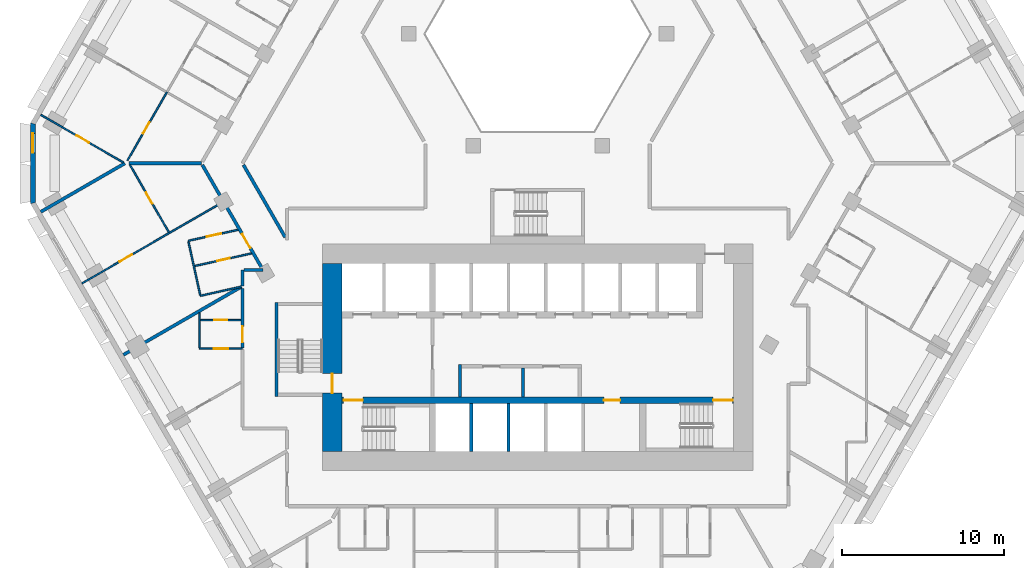
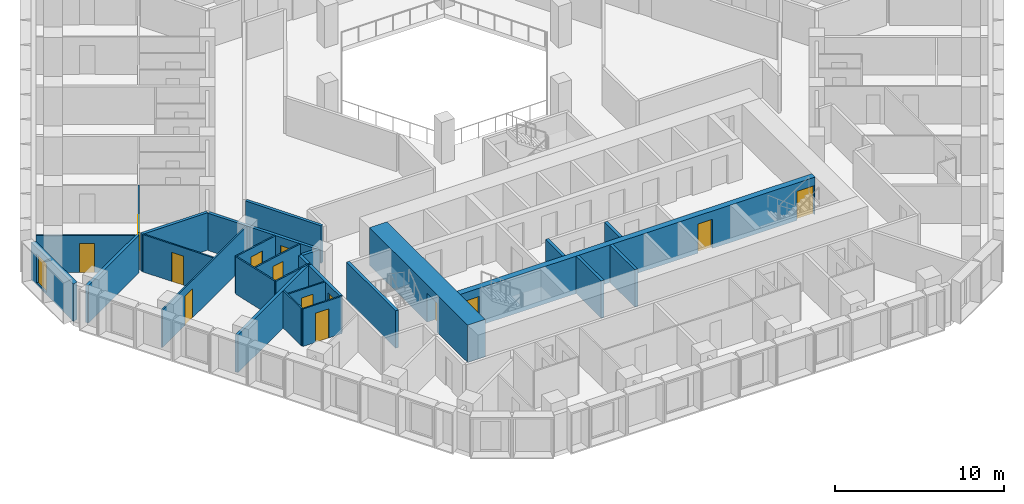
# One storey, part 4 of 16: 27 walls, 14 doors, 1 window, 15 openings.
"""IFC4 building model written with IfcOpenShell, lengths in metres."""

from ifc_helpers import new_model, si_unit, direction, frame, frame_2d, origin, place, context, subcontext, project, spatial, polyline, rectangle, outline, extrude, material, layer, layer_set, type_object, element, fill, save


model = new_model("IFC4")

# Units and contexts
model_context = context("Model", 3, precision=1e-05, world=origin(), true_north=direction((0.0, 1.0)))
body_context = subcontext(model_context, "Body", "Model", "MODEL_VIEW")
ifc_project = project(units=[si_unit("LENGTHUNIT", "METRE"), si_unit("AREAUNIT", "SQUARE_METRE"), si_unit("VOLUMEUNIT", "CUBIC_METRE"), si_unit("PLANEANGLEUNIT", "RADIAN"), si_unit("MASSUNIT", "GRAM", prefix="KILO")], contexts=[model_context])

# Site, building, storey
site_placement = place(None, origin())
site = spatial("IfcSite", under=ifc_project, at=site_placement, CompositionType="ELEMENT")
building_placement = place(site_placement, origin())
building = spatial("IfcBuilding", under=site, at=building_placement, Name="Beryl Residences", CompositionType="ELEMENT")
storey_placement = place(building_placement, frame((0.0, 0.0, 44.39990234375)))
storey = spatial("IfcBuildingStorey", under=building, at=storey_placement, Name="L13", CompositionType="ELEMENT", Elevation=44.39990234375)

# Wall, opening, window
ifc_material_1 = material(Name="Composite metal panel with mineral wool insulation")
ifc_layer_1 = layer(ifc_material_1, 0.300048828125)
ifc_layer_set_1 = layer_set([ifc_layer_1], Name="ES1 pale metal composite panel wall 300 mm")
wall_type_1 = type_object("IfcWallType", Name="ES1 pale metal composite panel wall 300 mm", PredefinedType="SOLIDWALL", material=ifc_layer_set_1)
wall_1_placement = place(storey_placement, frame((-31.199951171875, 2.5, 0.0), z_axis=(0.0, 0.0, 1.0), x_axis=(0.0, -1.0, 0.0)))
wall_1 = element("IfcWall", 1, at=wall_1_placement, inside=storey, type_object=wall_type_1, Name="ES1 external wall L13 NW-SW", PredefinedType="SOLIDWALL", context=body_context, shape_type="SweptSolid", body=[
    extrude(outline(polyline([(0.0, -0.14990234375), (5.0, -0.14990234375), (4.919677734375, 0.14990234375), (0.080322265625, 0.14990234375), (0.0, -0.14990234375)])), origin(), (0.0, 0.0, 1.0), 2.7001953125),
])
opening_1_placement = place(wall_1_placement, frame((0.64990234375, 0.0, 0.14990234375)))
opening_1 = element("IfcOpeningElement", 2, at=opening_1_placement, cuts=wall_1, Name="Opening W2", PredefinedType="OPENING", context=body_context, shape_type="SweptSolid", body=[
    extrude(rectangle(XDim=1.199951171875, YDim=2.10009765625, at=frame_2d((0.60009765625, 1.050048828125))), frame((0.0, 0.159912109375, 0.0), z_axis=(0.0, -1.0, 0.0), x_axis=(1.0, 0.0, 0.0)), (0.0, 0.0, 1.0), 0.320068359375),
])
ifc_material_2 = material(Name="Aluminium and clear glass", Category="aluminium")
window_type = type_object("IfcWindowType", Name="W2 chamfer window 1200 x 2100 mm", PartitioningType="SINGLE_PANEL", PredefinedType="WINDOW", material=ifc_material_2)
window_placement = place(opening_1_placement, origin())
window = element("IfcWindow", 3, at=window_placement, inside=storey, type_object=window_type, Name="W2 window L13 NW-SW 1", OverallHeight=2.10009765625, OverallWidth=1.199951171875, PartitioningType="SINGLE_PANEL", PredefinedType="WINDOW", context=body_context, shape_type="SweptSolid", body=[
    extrude(rectangle(XDim=1.199951171875, YDim=2.10009765625, at=frame_2d((0.60009765625, 1.050048828125))), frame((0.0, 0.030029296875, 0.0), z_axis=(0.0, -1.0, 0.0), x_axis=(1.0, 0.0, 0.0)), (0.0, 0.0, 1.0), 0.06005859375),
])
fill(opening_1, window)

# Wall, opening, door
ifc_material_3 = material(Name="Gypsum board partition on steel studs", Category="steel")
ifc_layer_2 = layer(ifc_material_3, 0.10009765625)
ifc_layer_set_2 = layer_set([ifc_layer_2], Name="PT1 partition 100 mm gypsum board on steel studs")
wall_type_2 = type_object("IfcWallType", Name="PT1 partition 100 mm gypsum board on steel studs", PredefinedType="PARTITIONING", material=ifc_layer_set_2)
wall_2_placement = place(storey_placement, frame((-25.199951171875, -0.10107421875, 0.0), z_axis=(0.0, 0.0, 1.0), x_axis=(0.500099052605, -0.865968208183, 0.0)))
wall_2 = element("IfcWall", 4, at=wall_2_placement, inside=storey, type_object=wall_type_2, Name="Wall PT1 L13 001", PredefinedType="PARTITIONING", context=body_context, shape_type="SweptSolid", body=[
    extrude(rectangle(XDim=4.80712890625, YDim=0.10009765625, at=frame_2d((2.403564453125, 0.0))), origin(), (0.0, 0.0, 1.0), 2.7001953125),
])
opening_2_placement = place(wall_2_placement, frame((1.970947265625, 0.0, 0.0)))
opening_2 = element("IfcOpeningElement", 5, at=opening_2_placement, cuts=wall_2, Name="Opening D0515", PredefinedType="OPENING", context=body_context, shape_type="SweptSolid", body=[
    extrude(rectangle(XDim=0.800048828125, YDim=2.10009765625, at=frame_2d((0.39990234375, 1.050048828125))), frame((0.0, 0.06005859375, 0.0), z_axis=(0.0, -1.0, 0.0), x_axis=(1.0, 0.0, 0.0)), (0.0, 0.0, 1.0), 0.1201171875),
])
ifc_material_4 = material(Name="Timber door leaf", Category="wood")
door_type_1 = type_object("IfcDoorType", Name="D3 bathroom door 800 x 2100 mm", OperationType="SINGLE_SWING_LEFT", PredefinedType="DOOR", material=ifc_material_4)
door_1_placement = place(opening_2_placement, origin())
door_1 = element("IfcDoor", 6, at=door_1_placement, inside=storey, type_object=door_type_1, Name="Door D0515 L13 001", OperationType="SINGLE_SWING_LEFT", OverallHeight=2.10009765625, OverallWidth=0.800048828125, PredefinedType="DOOR", context=body_context, shape_type="SweptSolid", body=[
    extrude(rectangle(XDim=0.800048828125, YDim=2.10009765625, at=frame_2d((0.39990234375, 1.050048828125))), frame((0.0, 0.02490234375, 0.0), z_axis=(0.0, -1.0, 0.0), x_axis=(1.0, 0.0, 0.0)), (0.0, 0.0, 1.0), 0.050048828125),
])
fill(opening_2, door_1)

# Walls
wall_3_placement = place(storey_placement, frame((-21.590087890625, -4.842041015625, 0.0), z_axis=(0.0, 0.0, 1.0), x_axis=(0.216524734289, -0.976277132499, 0.0)))
element("IfcWall", 7, at=wall_3_placement, inside=storey, type_object=wall_type_2, Name="Wall PT1 L13 004", PredefinedType="PARTITIONING", context=body_context, shape_type="SweptSolid", body=[
    extrude(rectangle(XDim=3.376953125, YDim=0.10009765625, at=frame_2d((1.6884765625, 0.0))), origin(), (0.0, 0.0, 1.0), 2.7001953125),
])
wall_4_placement = place(storey_placement, frame((-20.909912109375, -9.242919921875, 0.0), z_axis=(0.0, 0.0, 1.0), x_axis=(0.0, -1.0, 0.0)))
element("IfcWall", 8, at=wall_4_placement, inside=storey, type_object=wall_type_2, Name="Wall PT1 L13 009", PredefinedType="PARTITIONING", context=body_context, shape_type="SweptSolid", body=[
    extrude(rectangle(XDim=2.1630859375, YDim=0.10009765625, at=frame_2d((1.08154296875, 0.0))), origin(), (0.0, 0.0, 1.0), 2.7001953125),
])

# Wall, opening, door
wall_5_placement = place(storey_placement, frame((-30.716064453125, 2.9990234375, 0.0), z_axis=(0.0, 0.0, 1.0), x_axis=(0.866025981722, -0.499998998981, 0.0)))
wall_5 = element("IfcWall", 9, at=wall_5_placement, inside=storey, type_object=wall_type_2, Name="Wall PT1 L13 015", PredefinedType="PARTITIONING", context=body_context, shape_type="SweptSolid", body=[
    extrude(rectangle(XDim=5.88427734375, YDim=0.10009765625, at=frame_2d((2.942138671875, 0.0))), origin(), (0.0, 0.0, 1.0), 2.7001953125),
])
opening_3_placement = place(wall_5_placement, frame((2.550048828125, 0.0, 0.0)))
opening_3 = element("IfcOpeningElement", 10, at=opening_3_placement, cuts=wall_5, Name="Opening D0509", PredefinedType="OPENING", context=body_context, shape_type="SweptSolid", body=[
    extrude(rectangle(XDim=0.89990234375, YDim=2.10009765625, at=frame_2d((0.449951171875, 1.050048828125))), frame((0.0, 0.06005859375, 0.0), z_axis=(0.0, -1.0, 0.0), x_axis=(1.0, 0.0, 0.0)), (0.0, 0.0, 1.0), 0.1201171875),
])
ifc_material_5 = material(Name="Timber door leaf", Category="wood")
door_type_2 = type_object("IfcDoorType", Name="D2 room door 900 x 2100 mm", OperationType="SINGLE_SWING_LEFT", PredefinedType="DOOR", material=ifc_material_5)
door_2_placement = place(opening_3_placement, origin())
door_2 = element("IfcDoor", 11, at=door_2_placement, inside=storey, type_object=door_type_2, Name="Door D0509 L13 001", OperationType="SINGLE_SWING_LEFT", OverallHeight=2.10009765625, OverallWidth=0.89990234375, PredefinedType="DOOR", context=body_context, shape_type="SweptSolid", body=[
    extrude(rectangle(XDim=0.89990234375, YDim=2.10009765625, at=frame_2d((0.449951171875, 1.050048828125))), frame((0.0, 0.02490234375, 0.0), z_axis=(0.0, -1.0, 0.0), x_axis=(1.0, 0.0, 0.0)), (0.0, 0.0, 1.0), 0.050048828125),
])
fill(opening_3, door_2)

wall_6_placement = place(storey_placement, frame((-20.860107421875, -9.68896484375, 0.0), z_axis=(0.0, 0.0, 1.0), x_axis=(1.0, 0.0, 0.0)))
wall_6 = element("IfcWall", 12, at=wall_6_placement, inside=storey, type_object=wall_type_2, Name="Wall PT1 L13 025", PredefinedType="PARTITIONING", context=body_context, shape_type="SweptSolid", body=[
    extrude(rectangle(XDim=2.510009765625, YDim=0.10009765625, at=frame_2d((1.2548828125, 0.0))), origin(), (0.0, 0.0, 1.0), 2.7001953125),
])
opening_4_placement = place(wall_6_placement, frame((0.8798828125, 0.0, 0.0)))
opening_4 = element("IfcOpeningElement", 13, at=opening_4_placement, cuts=wall_6, Name="Opening D0518", PredefinedType="OPENING", context=body_context, shape_type="SweptSolid", body=[
    extrude(rectangle(XDim=0.800048828125, YDim=2.10009765625, at=frame_2d((0.39990234375, 1.050048828125))), frame((0.0, 0.06005859375, 0.0), z_axis=(0.0, -1.0, 0.0), x_axis=(1.0, 0.0, 0.0)), (0.0, 0.0, 1.0), 0.1201171875),
])
door_3_placement = place(opening_4_placement, origin())
door_3 = element("IfcDoor", 14, at=door_3_placement, inside=storey, type_object=door_type_1, Name="Door D0518 L13 001", OperationType="SINGLE_SWING_RIGHT", OverallHeight=2.10009765625, OverallWidth=0.800048828125, PredefinedType="DOOR", context=body_context, shape_type="SweptSolid", body=[
    extrude(rectangle(XDim=0.800048828125, YDim=2.10009765625, at=frame_2d((0.39990234375, 1.050048828125))), frame((0.0, 0.02490234375, 0.0), z_axis=(0.0, -1.0, 0.0), x_axis=(1.0, 0.0, 0.0)), (0.0, 0.0, 1.0), 0.050048828125),
])
fill(opening_4, door_3)

wall_7_placement = place(storey_placement, frame((-20.908935546875, -11.45703125, 0.0), z_axis=(0.0, 0.0, 1.0), x_axis=(1.0, 0.0, 0.0)))
wall_7 = element("IfcWall", 15, at=wall_7_placement, inside=storey, type_object=wall_type_2, Name="Wall PT1 L13 026", PredefinedType="PARTITIONING", context=body_context, shape_type="SweptSolid", body=[
    extrude(rectangle(XDim=2.658935546875, YDim=0.10009765625, at=frame_2d((1.32958984375, 0.0))), origin(), (0.0, 0.0, 1.0), 2.7001953125),
])
opening_5_placement = place(wall_7_placement, frame((0.87890625, 0.0, 0.0)))
opening_5 = element("IfcOpeningElement", 16, at=opening_5_placement, cuts=wall_7, Name="Opening D0517", PredefinedType="OPENING", context=body_context, shape_type="SweptSolid", body=[
    extrude(rectangle(XDim=0.89990234375, YDim=2.10009765625, at=frame_2d((0.449951171875, 1.050048828125))), frame((0.0, 0.06005859375, 0.0), z_axis=(0.0, -1.0, 0.0), x_axis=(1.0, 0.0, 0.0)), (0.0, 0.0, 1.0), 0.1201171875),
])
door_4_placement = place(opening_5_placement, origin())
door_4 = element("IfcDoor", 17, at=door_4_placement, inside=storey, type_object=door_type_2, Name="Door D0517 L13 001", OperationType="SINGLE_SWING_LEFT", OverallHeight=2.10009765625, OverallWidth=0.89990234375, PredefinedType="DOOR", context=body_context, shape_type="SweptSolid", body=[
    extrude(rectangle(XDim=0.89990234375, YDim=2.10009765625, at=frame_2d((0.449951171875, 1.050048828125))), frame((0.0, 0.02490234375, 0.0), z_axis=(0.0, -1.0, 0.0), x_axis=(1.0, 0.0, 0.0)), (0.0, 0.0, 1.0), 0.050048828125),
])
fill(opening_5, door_4)

wall_8_placement = place(storey_placement, frame((-25.35791015625, 0.173095703125, 0.0), z_axis=(0.0, 0.0, 1.0), x_axis=(0.500180754623, 0.8659210199, 0.0)))
wall_8 = element("IfcWall", 18, at=wall_8_placement, inside=storey, type_object=wall_type_2, Name="Wall PT1 L13 039", PredefinedType="PARTITIONING", context=body_context, shape_type="SweptSolid", body=[
    extrude(rectangle(XDim=4.872314453125, YDim=0.10009765625, at=frame_2d((2.43603515625, 0.0))), origin(), (0.0, 0.0, 1.0), 2.7001953125),
])
opening_6_placement = place(wall_8_placement, frame((1.93603515625, 0.0, 0.0)))
opening_6 = element("IfcOpeningElement", 19, at=opening_6_placement, cuts=wall_8, Name="Opening D0510", PredefinedType="OPENING", context=body_context, shape_type="SweptSolid", body=[
    extrude(rectangle(XDim=0.800048828125, YDim=2.10009765625, at=frame_2d((0.39990234375, 1.050048828125))), frame((0.0, 0.06005859375, 0.0), z_axis=(0.0, -1.0, 0.0), x_axis=(1.0, 0.0, 0.0)), (0.0, 0.0, 1.0), 0.1201171875),
])
door_5_placement = place(opening_6_placement, origin())
door_5 = element("IfcDoor", 20, at=door_5_placement, inside=storey, type_object=door_type_1, Name="Door D0510 L13 001", OperationType="SINGLE_SWING_RIGHT", OverallHeight=2.10009765625, OverallWidth=0.800048828125, PredefinedType="DOOR", context=body_context, shape_type="SweptSolid", body=[
    extrude(rectangle(XDim=0.800048828125, YDim=2.10009765625, at=frame_2d((0.39990234375, 1.050048828125))), frame((0.0, 0.02490234375, 0.0), z_axis=(0.0, -1.0, 0.0), x_axis=(1.0, 0.0, 0.0)), (0.0, 0.0, 1.0), 0.050048828125),
])
fill(opening_6, door_5)

# Wall
wall_9_placement = place(storey_placement, frame((-20.847900390625, -8.18896484375, 0.0), z_axis=(0.0, 0.0, 1.0), x_axis=(0.976266547712, 0.216572453971, 0.0)))
element("IfcWall", 21, at=wall_9_placement, inside=storey, type_object=wall_type_2, Name="Wall PT1 L13 057", PredefinedType="PARTITIONING", context=body_context, shape_type="SweptSolid", body=[
    extrude(rectangle(XDim=2.599609375, YDim=0.10009765625, at=frame_2d((1.2998046875, 0.0))), origin(), (0.0, 0.0, 1.0), 2.7001953125),
])

# Wall, opening, door
wall_10_placement = place(storey_placement, frame((-21.205078125, -6.34912109375, 0.0), z_axis=(0.0, 0.0, 1.0), x_axis=(0.976315944397, 0.216349663084, 0.0)))
wall_10 = element("IfcWall", 22, at=wall_10_placement, inside=storey, type_object=wall_type_2, Name="Wall PT1 L13 058", PredefinedType="PARTITIONING", context=body_context, shape_type="SweptSolid", body=[
    extrude(rectangle(XDim=3.60546875, YDim=0.10009765625, at=frame_2d((1.802734375, 0.0))), origin(), (0.0, 0.0, 1.0), 2.7001953125),
])
opening_7_placement = place(wall_10_placement, frame((1.429931640625, 0.0, 0.0)))
opening_7 = element("IfcOpeningElement", 23, at=opening_7_placement, cuts=wall_10, Name="Opening D0512", PredefinedType="OPENING", context=body_context, shape_type="SweptSolid", body=[
    extrude(rectangle(XDim=0.800048828125, YDim=2.10009765625, at=frame_2d((0.39990234375, 1.050048828125))), frame((0.0, 0.06005859375, 0.0), z_axis=(0.0, -1.0, 0.0), x_axis=(1.0, 0.0, 0.0)), (0.0, 0.0, 1.0), 0.1201171875),
])
door_6_placement = place(opening_7_placement, origin())
door_6 = element("IfcDoor", 24, at=door_6_placement, inside=storey, type_object=door_type_1, Name="Door D0512 L13 001", OperationType="SINGLE_SWING_RIGHT", OverallHeight=2.10009765625, OverallWidth=0.800048828125, PredefinedType="DOOR", context=body_context, shape_type="SweptSolid", body=[
    extrude(rectangle(XDim=0.800048828125, YDim=2.10009765625, at=frame_2d((0.39990234375, 1.050048828125))), frame((0.0, 0.02490234375, 0.0), z_axis=(0.0, -1.0, 0.0), x_axis=(1.0, 0.0, 0.0)), (0.0, 0.0, 1.0), 0.050048828125),
])
fill(opening_7, door_6)

wall_11_placement = place(storey_placement, frame((-21.60009765625, -4.7919921875, 0.0), z_axis=(0.0, 0.0, 1.0), x_axis=(0.976320106661, 0.216330879278, 0.0)))
wall_11 = element("IfcWall", 25, at=wall_11_placement, inside=storey, type_object=wall_type_2, Name="Wall PT1 L13 059", PredefinedType="PARTITIONING", context=body_context, shape_type="SweptSolid", body=[
    extrude(rectangle(XDim=3.1474609375, YDim=0.10009765625, at=frame_2d((1.57373046875, 0.0))), origin(), (0.0, 0.0, 1.0), 2.7001953125),
])
opening_8_placement = place(wall_11_placement, frame((1.176025390625, 0.0, 0.0)))
opening_8 = element("IfcOpeningElement", 26, at=opening_8_placement, cuts=wall_11, Name="Opening D0513", PredefinedType="OPENING", context=body_context, shape_type="SweptSolid", body=[
    extrude(rectangle(XDim=0.89990234375, YDim=2.10009765625, at=frame_2d((0.449951171875, 1.050048828125))), frame((0.0, 0.06005859375, 0.0), z_axis=(0.0, -1.0, 0.0), x_axis=(1.0, 0.0, 0.0)), (0.0, 0.0, 1.0), 0.1201171875),
])
door_7_placement = place(opening_8_placement, origin())
door_7 = element("IfcDoor", 27, at=door_7_placement, inside=storey, type_object=door_type_2, Name="Door D0513 L13 001", OperationType="SINGLE_SWING_LEFT", OverallHeight=2.10009765625, OverallWidth=0.89990234375, PredefinedType="DOOR", context=body_context, shape_type="SweptSolid", body=[
    extrude(rectangle(XDim=0.89990234375, YDim=2.10009765625, at=frame_2d((0.449951171875, 1.050048828125))), frame((0.0, 0.02490234375, 0.0), z_axis=(0.0, -1.0, 0.0), x_axis=(1.0, 0.0, 0.0)), (0.0, 0.0, 1.0), 0.050048828125),
])
fill(opening_8, door_7)

wall_12_placement = place(storey_placement, frame((-28.1630859375, -7.419921875, 0.0), z_axis=(0.0, 0.0, 1.0), x_axis=(0.866065245018, 0.499930986609, 0.0)))
wall_12 = element("IfcWall", 28, at=wall_12_placement, inside=storey, type_object=wall_type_2, Name="Wall PT1 L13 063", PredefinedType="PARTITIONING", context=body_context, shape_type="SweptSolid", body=[
    extrude(rectangle(XDim=9.99951171875, YDim=0.10009765625, at=frame_2d((4.999755859375, 0.0))), origin(), (0.0, 0.0, 1.0), 2.7001953125),
])
opening_9_placement = place(wall_12_placement, frame((2.6630859375, 0.0, 0.0)))
opening_9 = element("IfcOpeningElement", 29, at=opening_9_placement, cuts=wall_12, Name="Opening D0514", PredefinedType="OPENING", context=body_context, shape_type="SweptSolid", body=[
    extrude(rectangle(XDim=0.89990234375, YDim=2.10009765625, at=frame_2d((0.449951171875, 1.050048828125))), frame((0.0, 0.06005859375, 0.0), z_axis=(0.0, -1.0, 0.0), x_axis=(1.0, 0.0, 0.0)), (0.0, 0.0, 1.0), 0.1201171875),
])
door_8_placement = place(opening_9_placement, origin())
door_8 = element("IfcDoor", 30, at=door_8_placement, inside=storey, type_object=door_type_2, Name="Door D0514 L13 001", OperationType="SINGLE_SWING_RIGHT", OverallHeight=2.10009765625, OverallWidth=0.89990234375, PredefinedType="DOOR", context=body_context, shape_type="SweptSolid", body=[
    extrude(rectangle(XDim=0.89990234375, YDim=2.10009765625, at=frame_2d((0.449951171875, 1.050048828125))), frame((0.0, 0.02490234375, 0.0), z_axis=(0.0, -1.0, 0.0), x_axis=(1.0, 0.0, 0.0)), (0.0, 0.0, 1.0), 0.050048828125),
])
fill(opening_9, door_8)

# Walls
ifc_material_6 = material(Name="Concrete masonry", Category="masonry")
ifc_layer_3 = layer(ifc_material_6, 0.199951171875)
ifc_layer_set_3 = layer_set([ifc_layer_3], Name="PT13 lobby wall 200 mm")
wall_type_3 = type_object("IfcWallType", Name="PT13 lobby wall 200 mm", PredefinedType="PARTITIONING", material=ifc_layer_set_3)
wall_13_placement = place(storey_placement, frame((-4.800048828125, -14.449951171875, 0.0), z_axis=(0.0, 0.0, 1.0), x_axis=(0.0, 1.0, 0.0)))
element("IfcWall", 31, at=wall_13_placement, inside=storey, type_object=wall_type_3, Name="Lobby wall 07", PredefinedType="PARTITIONING", context=body_context, shape_type="SweptSolid", body=[
    extrude(rectangle(XDim=2.0, YDim=0.199951171875, at=frame_2d((1.0, 0.0))), origin(), (0.0, 0.0, 1.0), 2.7001953125),
])
ifc_material_7 = material(Name="Acoustic double stud gypsum board wall")
ifc_layer_4 = layer(ifc_material_7, 0.199951171875)
ifc_layer_set_4 = layer_set([ifc_layer_4], Name="PT3 party wall 200 mm acoustic double stud")
wall_type_4 = type_object("IfcWallType", Name="PT3 party wall 200 mm acoustic double stud", PredefinedType="PARTITIONING", material=ifc_layer_set_4)
wall_14_placement = place(storey_placement, frame((-25.277099609375, -0.0009765625, 0.0), z_axis=(0.0, 0.0, 1.0), x_axis=(1.0, 0.0, 0.0)))
element("IfcWall", 32, at=wall_14_placement, inside=storey, type_object=wall_type_4, Name="Wall PT3 L13 009", PredefinedType="PARTITIONING", context=body_context, shape_type="SweptSolid", body=[
    extrude(rectangle(XDim=4.4931640625, YDim=0.199951171875, at=frame_2d((2.24658203125, 0.0))), origin(), (0.0, 0.0, 1.0), 2.7001953125),
])
wall_15_placement = place(storey_placement, frame((-30.715087890625, -3.0, 0.0), z_axis=(0.0, 0.0, 1.0), x_axis=(0.86609140076, 0.499885672459, 0.0)))
element("IfcWall", 33, at=wall_15_placement, inside=storey, type_object=wall_type_4, Name="Wall PT3 L13 021", PredefinedType="PARTITIONING", context=body_context, shape_type="SweptSolid", body=[
    extrude(rectangle(XDim=5.99951171875, YDim=0.199951171875, at=frame_2d((2.999755859375, 0.0))), origin(), (0.0, 0.0, 1.0), 2.7001953125),
])
wall_16_placement = place(storey_placement, frame((-25.610107421875, -11.841064453125, 0.0), z_axis=(0.0, 0.0, 1.0), x_axis=(0.866004715254, 0.500035831874, 0.0)))
element("IfcWall", 34, at=wall_16_placement, inside=storey, type_object=wall_type_4, Name="Wall PT3 L13 022", PredefinedType="PARTITIONING", context=body_context, shape_type="SweptSolid", body=[
    extrude(rectangle(XDim=8.4296875, YDim=0.199951171875, at=frame_2d((4.21484375, 0.0))), origin(), (0.0, 0.0, 1.0), 2.7001953125),
])
ifc_material_8 = material(Name="Double stud gypsum board wall")
ifc_layer_5 = layer(ifc_material_8, 0.199951171875)
ifc_layer_set_5 = layer_set([ifc_layer_5], Name="PT4 corridor wall 200 mm double stud")
wall_type_5 = type_object("IfcWallType", Name="PT4 corridor wall 200 mm double stud", PredefinedType="PARTITIONING", material=ifc_layer_set_5)
wall_17_placement = place(storey_placement, frame((-18.18603515625, -0.10107421875, 0.0), z_axis=(0.0, 0.0, 1.0), x_axis=(0.499997591167, -0.86602679452, 0.0)))
element("IfcWall", 35, at=wall_17_placement, inside=storey, type_object=wall_type_5, Name="Wall PT4 L13 002", PredefinedType="PARTITIONING", context=body_context, shape_type="SweptSolid", body=[
    extrude(rectangle(XDim=5.171875, YDim=0.199951171875, at=frame_2d((2.5859375, 0.0))), origin(), (0.0, 0.0, 1.0), 2.7001953125),
])

# Wall, opening, door
wall_18_placement = place(storey_placement, frame((-20.72705078125, -0.10107421875, 0.0), z_axis=(0.0, 0.0, 1.0), x_axis=(0.500065652488, -0.865987495984, 0.0)))
wall_18 = element("IfcWall", 36, at=wall_18_placement, inside=storey, type_object=wall_type_5, Name="Wall PT4 L13 003", PredefinedType="PARTITIONING", context=body_context, shape_type="SweptSolid", body=[
    extrude(rectangle(XDim=7.38916015625, YDim=0.199951171875, at=frame_2d((3.694580078125, 0.0))), origin(), (0.0, 0.0, 1.0), 2.7001953125),
])
opening_10_placement = place(wall_18_placement, frame((4.93701171875, 0.0, 0.0)))
opening_10 = element("IfcOpeningElement", 37, at=opening_10_placement, cuts=wall_18, Name="Opening D0511", PredefinedType="OPENING", context=body_context, shape_type="SweptSolid", body=[
    extrude(rectangle(XDim=1.0, YDim=2.10009765625, at=frame_2d((0.5, 1.050048828125))), frame((0.0, 0.10986328125, 0.0), z_axis=(0.0, -1.0, 0.0), x_axis=(1.0, 0.0, 0.0)), (0.0, 0.0, 1.0), 0.219970703125),
])
ifc_material_9 = material(Name="Timber door leaf", Category="wood")
door_type_3 = type_object("IfcDoorType", Name="D1 flat entrance door 1000 x 2100 mm", OperationType="SINGLE_SWING_LEFT", PredefinedType="DOOR", material=ifc_material_9)
door_9_placement = place(opening_10_placement, origin())
door_9 = element("IfcDoor", 38, at=door_9_placement, inside=storey, type_object=door_type_3, Name="Door D0511 L13 001", OperationType="SINGLE_SWING_LEFT", OverallHeight=2.10009765625, OverallWidth=1.0, PredefinedType="DOOR", context=body_context, shape_type="SweptSolid", body=[
    extrude(rectangle(XDim=1.0, YDim=2.10009765625, at=frame_2d((0.5, 1.050048828125))), frame((0.0, 0.02490234375, 0.0), z_axis=(0.0, -1.0, 0.0), x_axis=(1.0, 0.0, 0.0)), (0.0, 0.0, 1.0), 0.050048828125),
])
fill(opening_10, door_9)

# Wall
wall_19_placement = place(storey_placement, frame((-18.14990234375, -6.60009765625, 0.0), z_axis=(0.0, 0.0, 1.0), x_axis=(1.0, 0.0, 0.0)))
element("IfcWall", 39, at=wall_19_placement, inside=storey, type_object=wall_type_5, Name="Wall PT4 L13 010", PredefinedType="PARTITIONING", context=body_context, shape_type="SweptSolid", body=[
    extrude(rectangle(XDim=1.17578125, YDim=0.199951171875, at=frame_2d((0.587890625, 0.0))), origin(), (0.0, 0.0, 1.0), 2.7001953125),
])

# Wall, opening, door
wall_20_placement = place(storey_placement, frame((-18.25, -11.406982421875, 0.0), z_axis=(0.0, 0.0, 1.0), x_axis=(0.0, 1.0, 0.0)))
wall_20 = element("IfcWall", 40, at=wall_20_placement, inside=storey, type_object=wall_type_5, Name="Wall PT4 L13 033", PredefinedType="PARTITIONING", context=body_context, shape_type="SweptSolid", body=[
    extrude(rectangle(XDim=3.6650390625, YDim=0.199951171875, at=frame_2d((1.83251953125, 0.0))), origin(), (0.0, 0.0, 1.0), 2.7001953125),
])
opening_11_placement = place(wall_20_placement, frame((0.333984375, 0.0, 0.0)))
opening_11 = element("IfcOpeningElement", 41, at=opening_11_placement, cuts=wall_20, Name="Opening D0516", PredefinedType="OPENING", context=body_context, shape_type="SweptSolid", body=[
    extrude(rectangle(XDim=1.0, YDim=2.10009765625, at=frame_2d((0.5, 1.050048828125))), frame((0.0, 0.10986328125, 0.0), z_axis=(0.0, -1.0, 0.0), x_axis=(1.0, 0.0, 0.0)), (0.0, 0.0, 1.0), 0.219970703125),
])
door_10_placement = place(opening_11_placement, origin())
door_10 = element("IfcDoor", 42, at=door_10_placement, inside=storey, type_object=door_type_3, Name="Door D0516 L13 001", OperationType="SINGLE_SWING_RIGHT", OverallHeight=2.10009765625, OverallWidth=1.0, PredefinedType="DOOR", context=body_context, shape_type="SweptSolid", body=[
    extrude(rectangle(XDim=1.0, YDim=2.10009765625, at=frame_2d((0.5, 1.050048828125))), frame((0.0, 0.02490234375, 0.0), z_axis=(0.0, -1.0, 0.0), x_axis=(1.0, 0.0, 0.0)), (0.0, 0.0, 1.0), 0.050048828125),
])
fill(opening_11, door_10)

# Walls
wall_21_placement = place(storey_placement, frame((-18.25, -7.592041015625, 0.0), z_axis=(0.0, 0.0, 1.0), x_axis=(0.0, 1.0, 0.0)))
element("IfcWall", 43, at=wall_21_placement, inside=storey, type_object=wall_type_5, Name="Wall PT4 L13 034", PredefinedType="PARTITIONING", context=body_context, shape_type="SweptSolid", body=[
    extrude(rectangle(XDim=0.991943359375, YDim=0.199951171875, at=frame_2d((0.49609375, 0.0))), origin(), (0.0, 0.0, 1.0), 2.7001953125),
])
ifc_material_10 = material(Name="Concrete C40/50", Category="concrete")
ifc_layer_6 = layer(ifc_material_10, 0.199951171875)
ifc_layer_set_6 = layer_set([ifc_layer_6], Name="PT5 stair enclosure wall 200 mm reinforced concrete C40/50")
wall_type_6 = type_object("IfcWallType", Name="PT5 stair enclosure wall 200 mm reinforced concrete C40/50", PredefinedType="SOLIDWALL", material=ifc_layer_set_6)
wall_22_placement = place(storey_placement, frame((-16.14990234375, -14.39990234375, 0.0), z_axis=(0.0, 0.0, 1.0), x_axis=(0.0, 1.0, 0.0)))
element("IfcWall", 44, at=wall_22_placement, inside=storey, type_object=wall_type_6, Name="Stair wall 01", PredefinedType="SOLIDWALL", context=body_context, shape_type="SweptSolid", body=[
    extrude(rectangle(XDim=5.7998046875, YDim=0.199951171875, at=frame_2d((2.89990234375, 0.0))), origin(), (0.0, 0.0, 1.0), 2.7001953125),
])
ifc_material_11 = material(Name="Concrete C40/50", Category="concrete")
ifc_layer_7 = layer(ifc_material_11, 0.199951171875)
ifc_layer_set_7 = layer_set([ifc_layer_7], Name="PT6 lift shaft wall 200 mm reinforced concrete C40/50")
wall_type_7 = type_object("IfcWallType", Name="PT6 lift shaft wall 200 mm reinforced concrete C40/50", PredefinedType="SOLIDWALL", material=ifc_layer_set_7)
for number, where, z_axis, x_axis, name in (
    (45, (-4.10009765625, -17.800048828125, 0.0), (0.0, 0.0, 1.0), (0.0, 1.0, 0.0), "Lift shaft wall 09"),
    (46, (-1.800048828125, -17.800048828125, 0.0), (0.0, 0.0, 1.0), (0.0, 1.0, 0.0), "Lift shaft wall 11"),
):
    element("IfcWall", number, at=place(storey_placement, frame(where, z_axis=z_axis, x_axis=x_axis)), inside=storey, type_object=wall_type_7, Name=name, PredefinedType="SOLIDWALL", context=body_context, shape_type="SweptSolid", body=[
        extrude(rectangle(XDim=2.949951171875, YDim=0.199951171875, at=frame_2d((1.47509765625, 0.0))), origin(), (0.0, 0.0, 1.0), 2.7001953125),
    ])
ifc_material_12 = material(Name="Concrete masonry", Category="masonry")
ifc_layer_8 = layer(ifc_material_12, 0.199951171875)
ifc_layer_set_8 = layer_set([ifc_layer_8], Name="PT8-200 service room wall 200 mm")
wall_type_8 = type_object("IfcWallType", Name="PT8-200 service room wall 200 mm", PredefinedType="PARTITIONING", material=ifc_layer_set_8)
wall_23_placement = place(storey_placement, frame((-0.89990234375, -14.449951171875, 0.0), z_axis=(0.0, 0.0, 1.0), x_axis=(0.0, 1.0, 0.0)))
element("IfcWall", 47, at=wall_23_placement, inside=storey, type_object=wall_type_8, Name="Core room wall 13", PredefinedType="PARTITIONING", context=body_context, shape_type="SweptSolid", body=[
    extrude(rectangle(XDim=1.800048828125, YDim=0.199951171875, at=frame_2d((0.89990234375, 0.0))), origin(), (0.0, 0.0, 1.0), 2.7001953125),
])

# Wall, opening, door
ifc_material_13 = material(Name="Concrete C80/95", Category="concrete")
ifc_layer_9 = layer(ifc_material_13, 1.199951171875)
ifc_layer_set_9 = layer_set([ifc_layer_9], Name="SW1 core outer wall 1200 mm C80/95")
wall_type_9 = type_object("IfcWallType", Name="SW1 core outer wall 1200 mm C80/95", PredefinedType="SHEAR", material=ifc_layer_set_9)
wall_24_placement = place(storey_placement, frame((-12.699951171875, -17.800048828125, 0.0), z_axis=(0.0, 0.0, 1.0), x_axis=(0.0, 1.0, 0.0)))
wall_24 = element("IfcWall", 48, at=wall_24_placement, inside=storey, type_object=wall_type_9, Name="Core wall W L13", PredefinedType="SHEAR", context=body_context, shape_type="SweptSolid", body=[
    extrude(rectangle(XDim=11.60009765625, YDim=1.199951171875, at=frame_2d((5.800048828125, 0.0))), origin(), (0.0, 0.0, 1.0), 2.7001953125),
])
opening_12_placement = place(wall_24_placement, frame((3.60009765625, 0.0, 0.0)))
opening_12 = element("IfcOpeningElement", 49, at=opening_12_placement, cuts=wall_24, Name="Opening SD-2", PredefinedType="OPENING", context=body_context, shape_type="SweptSolid", body=[
    extrude(rectangle(XDim=1.199951171875, YDim=2.10009765625, at=frame_2d((0.60009765625, 1.050048828125))), frame((0.0, 0.60986328125, 0.0), z_axis=(0.0, -1.0, 0.0), x_axis=(1.0, 0.0, 0.0)), (0.0, 0.0, 1.0), 1.219970703125),
])
ifc_material_14 = material(Name="Steel door leaf in steel frame", Category="steel")
door_type_4 = type_object("IfcDoorType", Name="D4 stair door 1200 x 2100 mm", OperationType="SINGLE_SWING_LEFT", PredefinedType="DOOR", material=ifc_material_14)
door_11_placement = place(opening_12_placement, origin())
door_11 = element("IfcDoor", 50, at=door_11_placement, inside=storey, type_object=door_type_4, Name="Door SD-2 L13 001", OperationType="SINGLE_SWING_RIGHT", OverallHeight=2.10009765625, OverallWidth=1.199951171875, PredefinedType="DOOR", context=body_context, shape_type="SweptSolid", body=[
    extrude(rectangle(XDim=1.199951171875, YDim=2.10009765625, at=frame_2d((0.60009765625, 1.050048828125))), frame((0.0, 0.02490234375, 0.0), z_axis=(0.0, -1.0, 0.0), x_axis=(1.0, 0.0, 0.0)), (0.0, 0.0, 1.0), 0.050048828125),
])
fill(opening_12, door_11)

# Wall, openings, doors
ifc_material_15 = material(Name="Concrete C80/95", Category="concrete")
ifc_layer_10 = layer(ifc_material_15, 0.39990234375)
ifc_layer_set_10 = layer_set([ifc_layer_10], Name="SW6 core internal wall 400 mm C80/95")
wall_type_10 = type_object("IfcWallType", Name="SW6 core internal wall 400 mm C80/95", PredefinedType="SHEAR", material=ifc_layer_set_10)
wall_25_placement = place(storey_placement, frame((-12.10009765625, -14.64990234375, 0.0), z_axis=(0.0, 0.0, 1.0), x_axis=(1.0, 0.0, 0.0)))
wall_25 = element("IfcWall", 51, at=wall_25_placement, inside=storey, type_object=wall_type_10, Name="Core wall SP1 L13", PredefinedType="SHEAR", context=body_context, shape_type="SweptSolid", body=[
    extrude(rectangle(XDim=24.2001953125, YDim=0.39990234375, at=frame_2d((12.10009765625, 0.0))), origin(), (0.0, 0.0, 1.0), 2.7001953125),
])
opening_13_placement = place(wall_25_placement, frame((1.300048828125, 0.0, 0.0), z_axis=(0.0, 0.0, 1.0), x_axis=(-1.0, 0.0, 0.0)))
opening_13 = element("IfcOpeningElement", 52, at=opening_13_placement, cuts=wall_25, Name="Opening SD-1", PredefinedType="OPENING", context=body_context, shape_type="SweptSolid", body=[
    extrude(rectangle(XDim=1.199951171875, YDim=2.10009765625, at=frame_2d((0.60009765625, 1.050048828125))), frame((0.0, 0.2099609375, 0.0), z_axis=(0.0, -1.0, 0.0), x_axis=(1.0, 0.0, 0.0)), (0.0, 0.0, 1.0), 0.419921875),
])
opening_14_placement = place(wall_25_placement, frame((24.14990234375, 0.0, 0.0), z_axis=(0.0, 0.0, 1.0), x_axis=(-1.0, 0.0, 0.0)))
opening_14 = element("IfcOpeningElement", 53, at=opening_14_placement, cuts=wall_25, Name="Opening SD-3", PredefinedType="OPENING", context=body_context, shape_type="SweptSolid", body=[
    extrude(rectangle(XDim=1.199951171875, YDim=2.10009765625, at=frame_2d((0.60009765625, 1.050048828125))), frame((0.0, 0.2099609375, 0.0), z_axis=(0.0, -1.0, 0.0), x_axis=(1.0, 0.0, 0.0)), (0.0, 0.0, 1.0), 0.419921875),
])
opening_15_placement = place(wall_25_placement, frame((17.199951171875, 0.0, 0.0), z_axis=(0.0, 0.0, 1.0), x_axis=(-1.0, 0.0, 0.0)))
opening_15 = element("IfcOpeningElement", 54, at=opening_15_placement, cuts=wall_25, Name="Opening CD-D-S1", PredefinedType="OPENING", context=body_context, shape_type="SweptSolid", body=[
    extrude(rectangle(XDim=1.0, YDim=2.10009765625, at=frame_2d((0.5, 1.050048828125))), frame((0.0, 0.2099609375, 0.0), z_axis=(0.0, -1.0, 0.0), x_axis=(1.0, 0.0, 0.0)), (0.0, 0.0, 1.0), 0.419921875),
])
ifc_material_16 = material(Name="Steel door leaf in steel frame", Category="steel")
door_type_5 = type_object("IfcDoorType", Name="D18 service room door 1000 x 2100 mm", OperationType="SINGLE_SWING_LEFT", PredefinedType="DOOR", material=ifc_material_16)
door_12_placement = place(opening_15_placement, origin())
door_12 = element("IfcDoor", 55, at=door_12_placement, inside=storey, type_object=door_type_5, Name="Door CD-D-S1 L13 001", OperationType="SINGLE_SWING_RIGHT", OverallHeight=2.10009765625, OverallWidth=1.0, PredefinedType="DOOR", context=body_context, shape_type="SweptSolid", body=[
    extrude(rectangle(XDim=1.0, YDim=2.10009765625, at=frame_2d((0.5, 1.050048828125))), frame((0.0, 0.02490234375, 0.0), z_axis=(0.0, -1.0, 0.0), x_axis=(1.0, 0.0, 0.0)), (0.0, 0.0, 1.0), 0.050048828125),
])
fill(opening_15, door_12)
door_13_placement = place(opening_13_placement, origin())
door_13 = element("IfcDoor", 56, at=door_13_placement, inside=storey, type_object=door_type_4, Name="Door SD-1 L13 001", OperationType="SINGLE_SWING_RIGHT", OverallHeight=2.10009765625, OverallWidth=1.199951171875, PredefinedType="DOOR", context=body_context, shape_type="SweptSolid", body=[
    extrude(rectangle(XDim=1.199951171875, YDim=2.10009765625, at=frame_2d((0.60009765625, 1.050048828125))), frame((0.0, 0.02490234375, 0.0), z_axis=(0.0, -1.0, 0.0), x_axis=(1.0, 0.0, 0.0)), (0.0, 0.0, 1.0), 0.050048828125),
])
fill(opening_13, door_13)
door_14_placement = place(opening_14_placement, origin())
door_14 = element("IfcDoor", 57, at=door_14_placement, inside=storey, type_object=door_type_4, Name="Door SD-3 L13 001", OperationType="SINGLE_SWING_RIGHT", OverallHeight=2.10009765625, OverallWidth=1.199951171875, PredefinedType="DOOR", context=body_context, shape_type="SweptSolid", body=[
    extrude(rectangle(XDim=1.199951171875, YDim=2.10009765625, at=frame_2d((0.60009765625, 1.050048828125))), frame((0.0, 0.02490234375, 0.0), z_axis=(0.0, -1.0, 0.0), x_axis=(1.0, 0.0, 0.0)), (0.0, 0.0, 1.0), 0.050048828125),
])
fill(opening_14, door_14)

save(model, "model.ifc")
